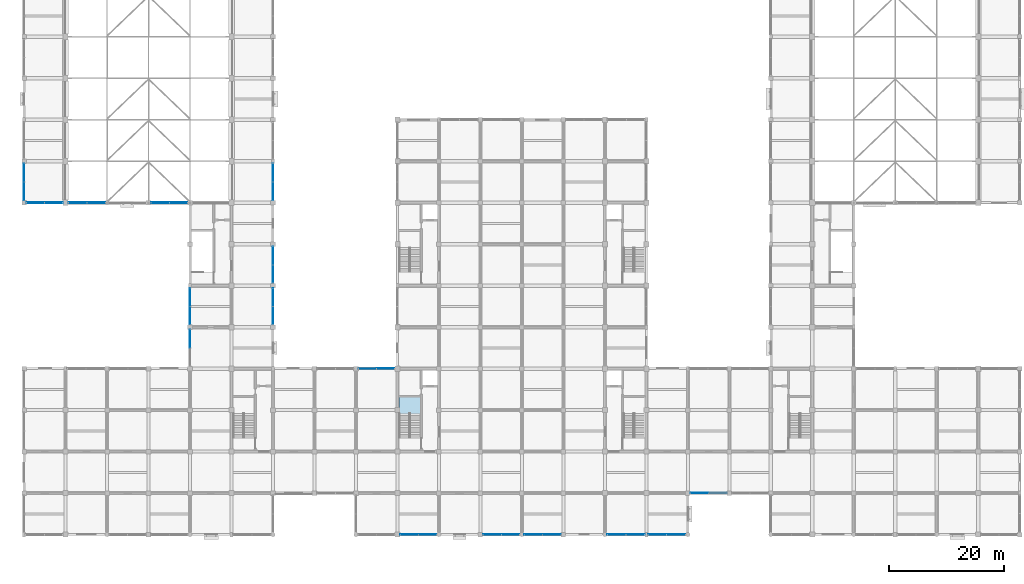
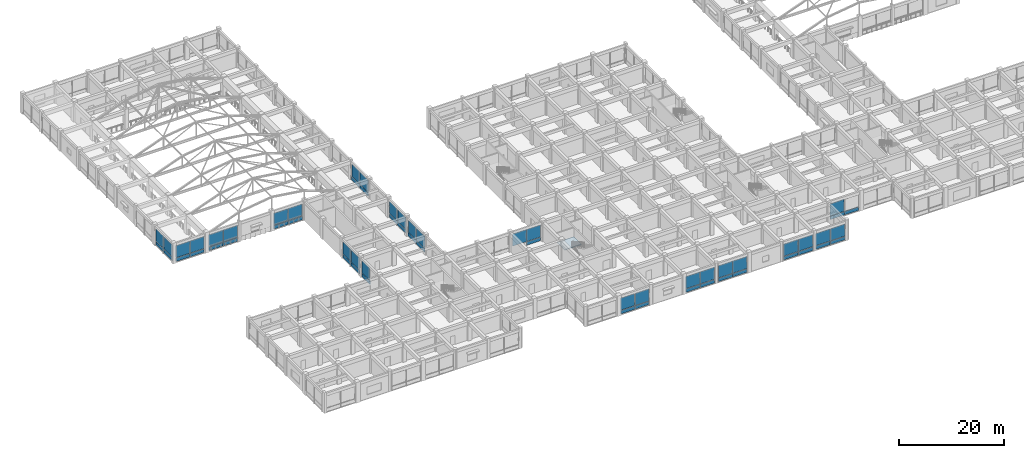
# One storey, part 48 of 75: 60 plates, 1 slab, 17 elements without a shape of their own.
"""IFC4 building model written with IfcOpenShell, lengths in metres."""

from ifc_helpers import new_model, si_unit, direction, frame, origin, origin_2d, place, context, subcontext, project, spatial, polyline, rectangle, outline, extrude, material, layer, layer_set, type_object, element, aggregate, save


model = new_model("IFC4")

# Units and contexts
model_context = context("Model", 3, precision=1e-05, world=origin(), true_north=direction((0.0, 1.0)))
body_context = subcontext(model_context, "Body", "Model", "MODEL_VIEW")
ifc_project = project(units=[si_unit("LENGTHUNIT", "METRE"), si_unit("AREAUNIT", "SQUARE_METRE"), si_unit("VOLUMEUNIT", "CUBIC_METRE"), si_unit("PLANEANGLEUNIT", "RADIAN"), si_unit("MASSUNIT", "GRAM", prefix="KILO")], contexts=[model_context])

# Site, building, storey
site_placement = place(None, origin())
site = spatial("IfcSite", under=ifc_project, at=site_placement, CompositionType="ELEMENT")
building_placement = place(site_placement, origin())
building = spatial("IfcBuilding", under=site, at=building_placement, Name="Cendaluz Park School", CompositionType="ELEMENT")
storey_placement = place(building_placement, frame((0.0, 0.0, 4.800048828125)))
storey = spatial("IfcBuildingStorey", under=building, at=storey_placement, Name="L01", CompositionType="ELEMENT", Elevation=4.800048828125)

# Curtain wall, plates
ifc_material_1 = material(Name="Anodised Aluminium 6063-T6", Category="aluminium")
ifc_layer_1 = layer(ifc_material_1, 0.179931640625)
ifc_layer_set_1 = layer_set([ifc_layer_1], Name="Anodised Aluminium 6063-T6")
curtain_wall_type_1 = type_object("IfcCurtainWallType", Name="CW-128x77", PredefinedType="NOTDEFINED", material=ifc_layer_set_1)
curtain_wall_1_placement = place(storey_placement, origin())
curtain_wall_1 = element("IfcCurtainWall", 1, at=curtain_wall_1_placement, inside=storey, type_object=curtain_wall_type_1, Name="CW-L01-025", PredefinedType="NOTDEFINED")
ifc_material_2 = material(Name="Tempered Low-E Double Glazing", Category="glass")
ifc_layer_2 = layer(ifc_material_2, 0.028076171875)
ifc_layer_set_2 = layer_set([ifc_layer_2], Name="Tempered Low-E Double Glazing")
plate_type_1 = type_object("IfcPlateType", Name="CWP-G01", PredefinedType="CURTAIN_PANEL", material=ifc_layer_set_2)
plate_1_placement = place(storey_placement, frame((43.199951171875, 38.017578125, 0.93505859375), z_axis=(0.0, 0.0, 1.0), x_axis=(0.0, 1.0, 0.0)))
plate_1 = element("IfcPlate", 2, at=plate_1_placement, type_object=plate_type_1, Name="CP-L01-0320", PredefinedType="CURTAIN_PANEL", context=body_context, shape_type="SweptSolid", body=[
    extrude(rectangle(XDim=3.094970703125, YDim=0.028076171875, at=origin_2d()), origin(), (0.0, 0.0, 1.0), 2.844970703125),
])
plate_2_placement = place(storey_placement, frame((43.199951171875, 41.1826171875, 0.93505859375), z_axis=(0.0, 0.0, 1.0), x_axis=(0.0, 1.0, 0.0)))
plate_2 = element("IfcPlate", 3, at=plate_2_placement, type_object=plate_type_1, Name="CP-L01-0325", PredefinedType="CURTAIN_PANEL", context=body_context, shape_type="SweptSolid", body=[
    extrude(rectangle(XDim=3.094970703125, YDim=0.028076171875, at=origin_2d()), origin(), (0.0, 0.0, 1.0), 2.844970703125),
])

curtain_wall_2_placement = place(storey_placement, origin())
curtain_wall_2 = element("IfcCurtainWall", 4, at=curtain_wall_2_placement, inside=storey, type_object=curtain_wall_type_1, Name="CW-L01-026", PredefinedType="NOTDEFINED")
plate_3_placement = place(storey_placement, frame((43.199951171875, 45.217529296875, 0.93505859375), z_axis=(0.0, 0.0, 1.0), x_axis=(0.0, 1.0, 0.0)))
plate_3 = element("IfcPlate", 5, at=plate_3_placement, type_object=plate_type_1, Name="CP-L01-0333", PredefinedType="CURTAIN_PANEL", context=body_context, shape_type="SweptSolid", body=[
    extrude(rectangle(XDim=3.094970703125, YDim=0.028076171875, at=origin_2d()), origin(), (0.0, 0.0, 1.0), 2.844970703125),
])
plate_4_placement = place(storey_placement, frame((43.199951171875, 48.382568359375, 0.93505859375), z_axis=(0.0, 0.0, 1.0), x_axis=(0.0, 1.0, 0.0)))
plate_4 = element("IfcPlate", 6, at=plate_4_placement, type_object=plate_type_1, Name="CP-L01-0338", PredefinedType="CURTAIN_PANEL", context=body_context, shape_type="SweptSolid", body=[
    extrude(rectangle(XDim=3.094970703125, YDim=0.028076171875, at=origin_2d()), origin(), (0.0, 0.0, 1.0), 2.844970703125),
])

curtain_wall_3_placement = place(storey_placement, origin())
curtain_wall_3 = element("IfcCurtainWall", 7, at=curtain_wall_3_placement, inside=storey, type_object=curtain_wall_type_1, Name="CW-L01-027", PredefinedType="NOTDEFINED")
plate_5_placement = place(storey_placement, frame((43.199951171875, 59.623779296875, 0.93505859375), z_axis=(0.0, 0.0, 1.0), x_axis=(0.0, 1.0, 0.0)))
plate_5 = element("IfcPlate", 8, at=plate_5_placement, type_object=plate_type_1, Name="CP-L01-0346", PredefinedType="CURTAIN_PANEL", context=body_context, shape_type="SweptSolid", body=[
    extrude(rectangle(XDim=3.107421875, YDim=0.028076171875, at=origin_2d()), origin(), (0.0, 0.0, 1.0), 2.844970703125),
])
plate_6_placement = place(storey_placement, frame((43.199951171875, 62.80126953125, 0.93505859375), z_axis=(0.0, 0.0, 1.0), x_axis=(0.0, 1.0, 0.0)))
plate_6 = element("IfcPlate", 9, at=plate_6_placement, type_object=plate_type_1, Name="CP-L01-0351", PredefinedType="CURTAIN_PANEL", context=body_context, shape_type="SweptSolid", body=[
    extrude(rectangle(XDim=3.107421875, YDim=0.028076171875, at=origin_2d()), origin(), (0.0, 0.0, 1.0), 2.844970703125),
])

ifc_layer_3 = layer(ifc_material_1, 0.179931640625)
ifc_layer_set_3 = layer_set([ifc_layer_3], Name="Anodised Aluminium 6063-T6")
curtain_wall_type_2 = type_object("IfcCurtainWallType", Name="CW-132x77", PredefinedType="NOTDEFINED", material=ifc_layer_set_3)
curtain_wall_4_placement = place(storey_placement, origin())
curtain_wall_4 = element("IfcCurtainWall", 10, at=curtain_wall_4_placement, inside=storey, type_object=curtain_wall_type_2, Name="CW-L01-048", PredefinedType="NOTDEFINED")
plate_7_placement = place(storey_placement, frame((102.836181640625, 0.0, 0.93505859375), z_axis=(0.0, 0.0, 1.0), x_axis=(1.0, 0.0, 0.0)))
plate_7 = element("IfcPlate", 11, at=plate_7_placement, type_object=plate_type_1, Name="CP-L01-0619", PredefinedType="CURTAIN_PANEL", context=body_context, shape_type="SweptSolid", body=[
    extrude(rectangle(XDim=3.1826171875, YDim=0.028076171875, at=origin_2d()), origin(), (0.0, 0.0, 1.0), 2.844970703125),
])
plate_8_placement = place(storey_placement, frame((106.0888671875, 0.0, 0.93505859375), z_axis=(0.0, 0.0, 1.0), x_axis=(1.0, 0.0, 0.0)))
plate_8 = element("IfcPlate", 12, at=plate_8_placement, type_object=plate_type_1, Name="CP-L01-0624", PredefinedType="CURTAIN_PANEL", context=body_context, shape_type="SweptSolid", body=[
    extrude(rectangle(XDim=3.1826171875, YDim=0.028076171875, at=origin_2d()), origin(), (0.0, 0.0, 1.0), 2.844970703125),
])

curtain_wall_5_placement = place(storey_placement, origin())
curtain_wall_5 = element("IfcCurtainWall", 13, at=curtain_wall_5_placement, inside=storey, type_object=curtain_wall_type_1, Name="CW-L01-019", PredefinedType="NOTDEFINED")
ifc_layer_4 = layer(ifc_material_2, 0.0380859375)
ifc_layer_set_4 = layer_set([ifc_layer_4], Name="Tempered Low-E Double Glazing")
plate_type_2 = type_object("IfcPlateType", Name="CWP-G02", PredefinedType="CURTAIN_PANEL", material=ifc_layer_set_4)
plate_9_placement = place(storey_placement, frame((23.617431640625, 57.60009765625, 0.93505859375), z_axis=(0.0, 0.0, 1.0), x_axis=(1.0, 0.0, 0.0)))
plate_9 = element("IfcPlate", 14, at=plate_9_placement, type_object=plate_type_2, Name="CP-L01-0242", PredefinedType="CURTAIN_PANEL", context=body_context, shape_type="SweptSolid", body=[
    extrude(rectangle(XDim=3.094970703125, YDim=0.0380859375, at=origin_2d()), origin(), (0.0, 0.0, 1.0), 2.844970703125),
])
plate_10_placement = place(storey_placement, frame((26.782470703125, 57.60009765625, 0.93505859375), z_axis=(0.0, 0.0, 1.0), x_axis=(1.0, 0.0, 0.0)))
plate_10 = element("IfcPlate", 15, at=plate_10_placement, type_object=plate_type_2, Name="CP-L01-0247", PredefinedType="CURTAIN_PANEL", context=body_context, shape_type="SweptSolid", body=[
    extrude(rectangle(XDim=3.094970703125, YDim=0.0380859375, at=origin_2d()), origin(), (0.0, 0.0, 1.0), 2.844970703125),
])

curtain_wall_6_placement = place(storey_placement, origin())
curtain_wall_6 = element("IfcCurtainWall", 16, at=curtain_wall_6_placement, inside=storey, type_object=curtain_wall_type_1, Name="CW-L01-044", PredefinedType="NOTDEFINED")
plate_11_placement = place(storey_placement, frame((81.2236328125, 0.0, 0.93505859375), z_axis=(0.0, 0.0, 1.0), x_axis=(1.0, 0.0, 0.0)))
plate_11 = element("IfcPlate", 17, at=plate_11_placement, type_object=plate_type_2, Name="CP-L01-0567", PredefinedType="CURTAIN_PANEL", context=body_context, shape_type="SweptSolid", body=[
    extrude(rectangle(XDim=3.107421875, YDim=0.0380859375, at=origin_2d()), origin(), (0.0, 0.0, 1.0), 2.844970703125),
])
plate_12_placement = place(storey_placement, frame((84.4013671875, 0.0, 0.93505859375), z_axis=(0.0, 0.0, 1.0), x_axis=(1.0, 0.0, 0.0)))
plate_12 = element("IfcPlate", 18, at=plate_12_placement, type_object=plate_type_2, Name="CP-L01-0572", PredefinedType="CURTAIN_PANEL", context=body_context, shape_type="SweptSolid", body=[
    extrude(rectangle(XDim=3.107421875, YDim=0.0380859375, at=origin_2d()), origin(), (0.0, 0.0, 1.0), 2.844970703125),
])

curtain_wall_7_placement = place(storey_placement, origin())
curtain_wall_7 = element("IfcCurtainWall", 19, at=curtain_wall_7_placement, inside=storey, type_object=curtain_wall_type_2, Name="CW-L01-053", PredefinedType="NOTDEFINED")
plate_13_placement = place(storey_placement, frame((109.9111328125, 0.0, 0.93505859375), z_axis=(0.0, 0.0, 1.0), x_axis=(1.0, 0.0, 0.0)))
plate_13 = element("IfcPlate", 20, at=plate_13_placement, type_object=plate_type_2, Name="CP-L01-0684", PredefinedType="CURTAIN_PANEL", context=body_context, shape_type="SweptSolid", body=[
    extrude(rectangle(XDim=3.1826171875, YDim=0.0380859375, at=origin_2d()), origin(), (0.0, 0.0, 1.0), 2.844970703125),
])
plate_14_placement = place(storey_placement, frame((113.163818359375, 0.0, 0.93505859375), z_axis=(0.0, 0.0, 1.0), x_axis=(1.0, 0.0, 0.0)))
plate_14 = element("IfcPlate", 21, at=plate_14_placement, type_object=plate_type_2, Name="CP-L01-0689", PredefinedType="CURTAIN_PANEL", context=body_context, shape_type="SweptSolid", body=[
    extrude(rectangle(XDim=3.1826171875, YDim=0.0380859375, at=origin_2d()), origin(), (0.0, 0.0, 1.0), 2.844970703125),
])

ifc_layer_5 = layer(ifc_material_1, 0.179931640625)
ifc_layer_set_5 = layer_set([ifc_layer_5], Name="Anodised Aluminium 6063-T6")
curtain_wall_type_3 = type_object("IfcCurtainWallType", Name="CW-127x77", PredefinedType="NOTDEFINED", material=ifc_layer_set_5)
curtain_wall_8_placement = place(storey_placement, origin())
curtain_wall_8 = element("IfcCurtainWall", 22, at=curtain_wall_8_placement, inside=storey, type_object=curtain_wall_type_3, Name="CW-L01-005", PredefinedType="NOTDEFINED")
ifc_layer_6 = layer(ifc_material_2, 0.048095703125)
ifc_layer_set_6 = layer_set([ifc_layer_6], Name="Tempered Low-E Double Glazing")
plate_type_3 = type_object("IfcPlateType", Name="CWP-G03", PredefinedType="CURTAIN_PANEL", material=ifc_layer_set_6)
plate_15_placement = place(storey_placement, frame((2.0048828125, 57.60009765625, 0.93505859375), z_axis=(0.0, 0.0, 1.0), x_axis=(1.0, 0.0, 0.0)))
plate_15 = element("IfcPlate", 23, at=plate_15_placement, type_object=plate_type_3, Name="CP-L01-0060", PredefinedType="CURTAIN_PANEL", context=body_context, shape_type="SweptSolid", body=[
    extrude(rectangle(XDim=3.070068359375, YDim=0.048095703125, at=origin_2d()), origin(), (0.0, 0.0, 1.0), 2.844970703125),
])
plate_16_placement = place(storey_placement, frame((5.14501953125, 57.60009765625, 0.93505859375), z_axis=(0.0, 0.0, 1.0), x_axis=(1.0, 0.0, 0.0)))
plate_16 = element("IfcPlate", 24, at=plate_16_placement, type_object=plate_type_3, Name="CP-L01-0065", PredefinedType="CURTAIN_PANEL", context=body_context, shape_type="SweptSolid", body=[
    extrude(rectangle(XDim=3.070068359375, YDim=0.048095703125, at=origin_2d()), origin(), (0.0, 0.0, 1.0), 2.844970703125),
])

curtain_wall_9_placement = place(storey_placement, origin())
curtain_wall_9 = element("IfcCurtainWall", 25, at=curtain_wall_9_placement, inside=storey, type_object=curtain_wall_type_1, Name="CW-L01-006", PredefinedType="NOTDEFINED")
plate_17_placement = place(storey_placement, frame((0.0, 59.617431640625, 0.93505859375), z_axis=(0.0, 0.0, 1.0), x_axis=(0.0, 1.0, 0.0)))
plate_17 = element("IfcPlate", 26, at=plate_17_placement, type_object=plate_type_3, Name="CP-L01-0073", PredefinedType="CURTAIN_PANEL", context=body_context, shape_type="SweptSolid", body=[
    extrude(rectangle(XDim=3.094970703125, YDim=0.048095703125, at=origin_2d()), origin(), (0.0, 0.0, 1.0), 2.844970703125),
])
plate_18_placement = place(storey_placement, frame((0.0, 62.782470703125, 0.93505859375), z_axis=(0.0, 0.0, 1.0), x_axis=(0.0, 1.0, 0.0)))
plate_18 = element("IfcPlate", 27, at=plate_18_placement, type_object=plate_type_3, Name="CP-L01-0078", PredefinedType="CURTAIN_PANEL", context=body_context, shape_type="SweptSolid", body=[
    extrude(rectangle(XDim=3.094970703125, YDim=0.048095703125, at=origin_2d()), origin(), (0.0, 0.0, 1.0), 2.844970703125),
])

# Curtain wall, plate
curtain_wall_10_placement = place(storey_placement, origin())
curtain_wall_10 = element("IfcCurtainWall", 28, at=curtain_wall_10_placement, inside=storey, type_object=curtain_wall_type_1, Name="CW-L01-020", PredefinedType="NOTDEFINED")
plate_19_placement = place(storey_placement, frame((28.800048828125, 33.982421875, 0.93505859375), z_axis=(0.0, 0.0, 1.0), x_axis=(0.0, 1.0, 0.0)))
plate_19 = element("IfcPlate", 29, at=plate_19_placement, type_object=plate_type_3, Name="CP-L01-0260", PredefinedType="CURTAIN_PANEL", context=body_context, shape_type="SweptSolid", body=[
    extrude(rectangle(XDim=3.094970703125, YDim=0.048095703125, at=origin_2d()), origin(), (0.0, 0.0, 1.0), 2.844970703125),
])

# Curtain wall, plates
curtain_wall_11_placement = place(storey_placement, origin())
curtain_wall_11 = element("IfcCurtainWall", 30, at=curtain_wall_11_placement, inside=storey, type_object=curtain_wall_type_1, Name="CW-L01-021", PredefinedType="NOTDEFINED")
plate_20_placement = place(storey_placement, frame((28.800048828125, 38.023681640625, 0.93505859375), z_axis=(0.0, 0.0, 1.0), x_axis=(0.0, 1.0, 0.0)))
plate_20 = element("IfcPlate", 31, at=plate_20_placement, type_object=plate_type_3, Name="CP-L01-0268", PredefinedType="CURTAIN_PANEL", context=body_context, shape_type="SweptSolid", body=[
    extrude(rectangle(XDim=3.107421875, YDim=0.048095703125, at=origin_2d()), origin(), (0.0, 0.0, 1.0), 2.844970703125),
])
plate_21_placement = place(storey_placement, frame((28.800048828125, 41.201171875, 0.93505859375), z_axis=(0.0, 0.0, 1.0), x_axis=(0.0, 1.0, 0.0)))
plate_21 = element("IfcPlate", 32, at=plate_21_placement, type_object=plate_type_3, Name="CP-L01-0273", PredefinedType="CURTAIN_PANEL", context=body_context, shape_type="SweptSolid", body=[
    extrude(rectangle(XDim=3.107421875, YDim=0.048095703125, at=origin_2d()), origin(), (0.0, 0.0, 1.0), 2.844970703125),
])

curtain_wall_12_placement = place(storey_placement, origin())
curtain_wall_12 = element("IfcCurtainWall", 33, at=curtain_wall_12_placement, inside=storey, type_object=curtain_wall_type_3, Name="CW-L01-038", PredefinedType="NOTDEFINED")
plate_22_placement = place(storey_placement, frame((59.60498046875, 28.800048828125, 0.93505859375), z_axis=(0.0, 0.0, 1.0), x_axis=(1.0, 0.0, 0.0)))
plate_22 = element("IfcPlate", 34, at=plate_22_placement, type_object=plate_type_3, Name="CP-L01-0489", PredefinedType="CURTAIN_PANEL", context=body_context, shape_type="SweptSolid", body=[
    extrude(rectangle(XDim=3.070068359375, YDim=0.048095703125, at=origin_2d()), origin(), (0.0, 0.0, 1.0), 2.844970703125),
])
plate_23_placement = place(storey_placement, frame((62.7451171875, 28.800048828125, 0.93505859375), z_axis=(0.0, 0.0, 1.0), x_axis=(1.0, 0.0, 0.0)))
plate_23 = element("IfcPlate", 35, at=plate_23_placement, type_object=plate_type_3, Name="CP-L01-0494", PredefinedType="CURTAIN_PANEL", context=body_context, shape_type="SweptSolid", body=[
    extrude(rectangle(XDim=3.070068359375, YDim=0.048095703125, at=origin_2d()), origin(), (0.0, 0.0, 1.0), 2.844970703125),
])

curtain_wall_13_placement = place(storey_placement, origin())
curtain_wall_13 = element("IfcCurtainWall", 36, at=curtain_wall_13_placement, inside=storey, type_object=curtain_wall_type_1, Name="CW-L01-046", PredefinedType="NOTDEFINED")
plate_24_placement = place(storey_placement, frame((88.398681640625, 0.0, 0.93505859375), z_axis=(0.0, 0.0, 1.0), x_axis=(1.0, 0.0, 0.0)))
plate_24 = element("IfcPlate", 37, at=plate_24_placement, type_object=plate_type_3, Name="CP-L01-0593", PredefinedType="CURTAIN_PANEL", context=body_context, shape_type="SweptSolid", body=[
    extrude(rectangle(XDim=3.107421875, YDim=0.048095703125, at=origin_2d()), origin(), (0.0, 0.0, 1.0), 2.844970703125),
])
plate_25_placement = place(storey_placement, frame((91.576171875, 0.0, 0.93505859375), z_axis=(0.0, 0.0, 1.0), x_axis=(1.0, 0.0, 0.0)))
plate_25 = element("IfcPlate", 38, at=plate_25_placement, type_object=plate_type_3, Name="CP-L01-0598", PredefinedType="CURTAIN_PANEL", context=body_context, shape_type="SweptSolid", body=[
    extrude(rectangle(XDim=3.107421875, YDim=0.048095703125, at=origin_2d()), origin(), (0.0, 0.0, 1.0), 2.844970703125),
])

# Curtain wall, plate
curtain_wall_14_placement = place(storey_placement, origin())
curtain_wall_14 = element("IfcCurtainWall", 39, at=curtain_wall_14_placement, inside=storey, type_object=curtain_wall_type_1, Name="CW-L01-054", PredefinedType="NOTDEFINED")
plate_26_placement = place(storey_placement, frame((117.217529296875, 7.199951171875, 0.93505859375), z_axis=(0.0, 0.0, 1.0), x_axis=(1.0, 0.0, 0.0)))
plate_26 = element("IfcPlate", 40, at=plate_26_placement, type_object=plate_type_3, Name="CP-L01-0697", PredefinedType="CURTAIN_PANEL", context=body_context, shape_type="SweptSolid", body=[
    extrude(rectangle(XDim=3.094970703125, YDim=0.048095703125, at=origin_2d()), origin(), (0.0, 0.0, 1.0), 2.844970703125),
])

# Curtain wall, plates
ifc_layer_7 = layer(ifc_material_1, 0.179931640625)
ifc_layer_set_7 = layer_set([ifc_layer_7], Name="Anodised Aluminium 6063-T6")
curtain_wall_type_4 = type_object("IfcCurtainWallType", Name="CW-130x77", PredefinedType="NOTDEFINED", material=ifc_layer_set_7)
curtain_wall_15_placement = place(storey_placement, origin())
curtain_wall_15 = element("IfcCurtainWall", 41, at=curtain_wall_15_placement, inside=storey, type_object=curtain_wall_type_4, Name="CW-L01-013", PredefinedType="NOTDEFINED")
ifc_layer_8 = layer(ifc_material_2, 0.05810546875)
ifc_layer_set_8 = layer_set([ifc_layer_8], Name="Tempered Low-E Double Glazing")
plate_type_4 = type_object("IfcPlateType", Name="CWP-G04", PredefinedType="CURTAIN_PANEL", material=ifc_layer_set_8)
plate_27_placement = place(storey_placement, frame((9.29248046875, 57.60009765625, 0.93505859375), z_axis=(0.0, 0.0, 1.0), x_axis=(1.0, 0.0, 0.0)))
plate_27 = element("IfcPlate", 42, at=plate_27_placement, type_object=plate_type_4, Name="CP-L01-0164", PredefinedType="CURTAIN_PANEL", context=body_context, shape_type="SweptSolid", body=[
    extrude(rectangle(XDim=3.14501953125, YDim=0.05810546875, at=origin_2d()), origin(), (0.0, 0.0, 1.0), 2.844970703125),
])
plate_28_placement = place(storey_placement, frame((12.507568359375, 57.60009765625, 0.93505859375), z_axis=(0.0, 0.0, 1.0), x_axis=(1.0, 0.0, 0.0)))
plate_28 = element("IfcPlate", 43, at=plate_28_placement, type_object=plate_type_4, Name="CP-L01-0169", PredefinedType="CURTAIN_PANEL", context=body_context, shape_type="SweptSolid", body=[
    extrude(rectangle(XDim=3.14501953125, YDim=0.05810546875, at=origin_2d()), origin(), (0.0, 0.0, 1.0), 2.844970703125),
])

curtain_wall_16_placement = place(storey_placement, origin())
curtain_wall_16 = element("IfcCurtainWall", 44, at=curtain_wall_16_placement, inside=storey, type_object=curtain_wall_type_1, Name="CW-L01-039", PredefinedType="NOTDEFINED")
plate_29_placement = place(storey_placement, frame((66.861328125, 0.0, 0.93505859375), z_axis=(0.0, 0.0, 1.0), x_axis=(1.0, 0.0, 0.0)))
plate_29 = element("IfcPlate", 45, at=plate_29_placement, type_object=plate_type_4, Name="CP-L01-0502", PredefinedType="CURTAIN_PANEL", context=body_context, shape_type="SweptSolid", body=[
    extrude(rectangle(XDim=3.08251953125, YDim=0.05810546875, at=origin_2d()), origin(), (0.0, 0.0, 1.0), 2.844970703125),
])
plate_30_placement = place(storey_placement, frame((70.013671875, 0.0, 0.93505859375), z_axis=(0.0, 0.0, 1.0), x_axis=(1.0, 0.0, 0.0)))
plate_30 = element("IfcPlate", 46, at=plate_30_placement, type_object=plate_type_4, Name="CP-L01-0507", PredefinedType="CURTAIN_PANEL", context=body_context, shape_type="SweptSolid", body=[
    extrude(rectangle(XDim=3.08251953125, YDim=0.05810546875, at=origin_2d()), origin(), (0.0, 0.0, 1.0), 2.844970703125),
])

# Plate
ifc_layer_9 = layer(ifc_material_1, 0.080078125)
ifc_layer_set_9 = layer_set([ifc_layer_9], Name="Anodised Aluminium 6063-T6")
plate_type_5 = type_object("IfcPlateType", Name="CWP-S01", PredefinedType="CURTAIN_PANEL", material=ifc_layer_set_9)
plate_31_placement = place(storey_placement, frame((43.199951171875, 45.217529296875, 0.070068359375), z_axis=(0.0, 0.0, 1.0), x_axis=(0.0, 1.0, 0.0)))
plate_31 = element("IfcPlate", 47, at=plate_31_placement, type_object=plate_type_5, Name="CP-L01-0332", PredefinedType="CURTAIN_PANEL", context=body_context, shape_type="SweptSolid", body=[
    extrude(rectangle(XDim=3.094970703125, YDim=0.080078125, at=origin_2d()), origin(), (0.0, 0.0, 1.0), 0.794921875),
])

plate_32_placement = place(storey_placement, frame((43.199951171875, 48.382568359375, 0.070068359375), z_axis=(0.0, 0.0, 1.0), x_axis=(0.0, 1.0, 0.0)))
plate_32 = element("IfcPlate", 48, at=plate_32_placement, type_object=plate_type_5, Name="CP-L01-0337", PredefinedType="CURTAIN_PANEL", context=body_context, shape_type="SweptSolid", body=[
    extrude(rectangle(XDim=3.094970703125, YDim=0.080078125, at=origin_2d()), origin(), (0.0, 0.0, 1.0), 0.794921875),
])

aggregate(curtain_wall_2, [plate_31, plate_3, plate_32, plate_4])

ifc_layer_10 = layer(ifc_material_1, 0.110107421875)
ifc_layer_set_10 = layer_set([ifc_layer_10], Name="Anodised Aluminium 6063-T6")
plate_type_6 = type_object("IfcPlateType", Name="CWP-S03", PredefinedType="CURTAIN_PANEL", material=ifc_layer_set_10)
plate_33_placement = place(storey_placement, frame((2.0048828125, 57.60009765625, 0.070068359375), z_axis=(0.0, 0.0, 1.0), x_axis=(1.0, 0.0, 0.0)))
plate_33 = element("IfcPlate", 49, at=plate_33_placement, type_object=plate_type_6, Name="CP-L01-0059", PredefinedType="CURTAIN_PANEL", context=body_context, shape_type="SweptSolid", body=[
    extrude(rectangle(XDim=3.070068359375, YDim=0.110107421875, at=origin_2d()), origin(), (0.0, 0.0, 1.0), 0.794921875),
])

plate_34_placement = place(storey_placement, frame((5.14501953125, 57.60009765625, 0.070068359375), z_axis=(0.0, 0.0, 1.0), x_axis=(1.0, 0.0, 0.0)))
plate_34 = element("IfcPlate", 50, at=plate_34_placement, type_object=plate_type_6, Name="CP-L01-0064", PredefinedType="CURTAIN_PANEL", context=body_context, shape_type="SweptSolid", body=[
    extrude(rectangle(XDim=3.070068359375, YDim=0.110107421875, at=origin_2d()), origin(), (0.0, 0.0, 1.0), 0.794921875),
])

aggregate(curtain_wall_8, [plate_33, plate_15, plate_34, plate_16])

plate_35_placement = place(storey_placement, frame((0.0, 59.617431640625, 0.070068359375), z_axis=(0.0, 0.0, 1.0), x_axis=(0.0, 1.0, 0.0)))
plate_35 = element("IfcPlate", 51, at=plate_35_placement, type_object=plate_type_6, Name="CP-L01-0072", PredefinedType="CURTAIN_PANEL", context=body_context, shape_type="SweptSolid", body=[
    extrude(rectangle(XDim=3.094970703125, YDim=0.110107421875, at=origin_2d()), origin(), (0.0, 0.0, 1.0), 0.794921875),
])

plate_36_placement = place(storey_placement, frame((0.0, 62.782470703125, 0.070068359375), z_axis=(0.0, 0.0, 1.0), x_axis=(0.0, 1.0, 0.0)))
plate_36 = element("IfcPlate", 52, at=plate_36_placement, type_object=plate_type_6, Name="CP-L01-0077", PredefinedType="CURTAIN_PANEL", context=body_context, shape_type="SweptSolid", body=[
    extrude(rectangle(XDim=3.094970703125, YDim=0.110107421875, at=origin_2d()), origin(), (0.0, 0.0, 1.0), 0.794921875),
])

aggregate(curtain_wall_9, [plate_35, plate_17, plate_36, plate_18])

plate_37_placement = place(storey_placement, frame((9.29248046875, 57.60009765625, 0.070068359375), z_axis=(0.0, 0.0, 1.0), x_axis=(1.0, 0.0, 0.0)))
plate_37 = element("IfcPlate", 53, at=plate_37_placement, type_object=plate_type_6, Name="CP-L01-0163", PredefinedType="CURTAIN_PANEL", context=body_context, shape_type="SweptSolid", body=[
    extrude(rectangle(XDim=3.14501953125, YDim=0.110107421875, at=origin_2d()), origin(), (0.0, 0.0, 1.0), 0.794921875),
])

plate_38_placement = place(storey_placement, frame((12.507568359375, 57.60009765625, 0.070068359375), z_axis=(0.0, 0.0, 1.0), x_axis=(1.0, 0.0, 0.0)))
plate_38 = element("IfcPlate", 54, at=plate_38_placement, type_object=plate_type_6, Name="CP-L01-0168", PredefinedType="CURTAIN_PANEL", context=body_context, shape_type="SweptSolid", body=[
    extrude(rectangle(XDim=3.14501953125, YDim=0.110107421875, at=origin_2d()), origin(), (0.0, 0.0, 1.0), 0.794921875),
])

aggregate(curtain_wall_15, [plate_37, plate_27, plate_38, plate_28])

plate_39_placement = place(storey_placement, frame((23.617431640625, 57.60009765625, 0.070068359375), z_axis=(0.0, 0.0, 1.0), x_axis=(1.0, 0.0, 0.0)))
plate_39 = element("IfcPlate", 55, at=plate_39_placement, type_object=plate_type_6, Name="CP-L01-0241", PredefinedType="CURTAIN_PANEL", context=body_context, shape_type="SweptSolid", body=[
    extrude(rectangle(XDim=3.094970703125, YDim=0.110107421875, at=origin_2d()), origin(), (0.0, 0.0, 1.0), 0.794921875),
])

plate_40_placement = place(storey_placement, frame((26.782470703125, 57.60009765625, 0.070068359375), z_axis=(0.0, 0.0, 1.0), x_axis=(1.0, 0.0, 0.0)))
plate_40 = element("IfcPlate", 56, at=plate_40_placement, type_object=plate_type_6, Name="CP-L01-0246", PredefinedType="CURTAIN_PANEL", context=body_context, shape_type="SweptSolid", body=[
    extrude(rectangle(XDim=3.094970703125, YDim=0.110107421875, at=origin_2d()), origin(), (0.0, 0.0, 1.0), 0.794921875),
])

aggregate(curtain_wall_5, [plate_39, plate_9, plate_40, plate_10])

plate_41_placement = place(storey_placement, frame((28.800048828125, 33.982421875, 0.070068359375), z_axis=(0.0, 0.0, 1.0), x_axis=(0.0, 1.0, 0.0)))
plate_41 = element("IfcPlate", 57, at=plate_41_placement, type_object=plate_type_6, Name="CP-L01-0259", PredefinedType="CURTAIN_PANEL", context=body_context, shape_type="SweptSolid", body=[
    extrude(rectangle(XDim=3.094970703125, YDim=0.110107421875, at=origin_2d()), origin(), (0.0, 0.0, 1.0), 0.794921875),
])

aggregate(curtain_wall_10, [plate_41, plate_19])

plate_42_placement = place(storey_placement, frame((43.199951171875, 59.623779296875, 0.070068359375), z_axis=(0.0, 0.0, 1.0), x_axis=(0.0, 1.0, 0.0)))
plate_42 = element("IfcPlate", 58, at=plate_42_placement, type_object=plate_type_6, Name="CP-L01-0345", PredefinedType="CURTAIN_PANEL", context=body_context, shape_type="SweptSolid", body=[
    extrude(rectangle(XDim=3.107421875, YDim=0.110107421875, at=origin_2d()), origin(), (0.0, 0.0, 1.0), 0.794921875),
])

plate_43_placement = place(storey_placement, frame((43.199951171875, 62.80126953125, 0.070068359375), z_axis=(0.0, 0.0, 1.0), x_axis=(0.0, 1.0, 0.0)))
plate_43 = element("IfcPlate", 59, at=plate_43_placement, type_object=plate_type_6, Name="CP-L01-0350", PredefinedType="CURTAIN_PANEL", context=body_context, shape_type="SweptSolid", body=[
    extrude(rectangle(XDim=3.107421875, YDim=0.110107421875, at=origin_2d()), origin(), (0.0, 0.0, 1.0), 0.794921875),
])

aggregate(curtain_wall_3, [plate_42, plate_5, plate_43, plate_6])

plate_44_placement = place(storey_placement, frame((62.7451171875, 28.800048828125, 0.070068359375), z_axis=(0.0, 0.0, 1.0), x_axis=(1.0, 0.0, 0.0)))
plate_44 = element("IfcPlate", 60, at=plate_44_placement, type_object=plate_type_6, Name="CP-L01-0493", PredefinedType="CURTAIN_PANEL", context=body_context, shape_type="SweptSolid", body=[
    extrude(rectangle(XDim=3.070068359375, YDim=0.110107421875, at=origin_2d()), origin(), (0.0, 0.0, 1.0), 0.794921875),
])

aggregate(curtain_wall_12, [plate_22, plate_44, plate_23])

plate_45_placement = place(storey_placement, frame((66.861328125, 0.0, 0.070068359375), z_axis=(0.0, 0.0, 1.0), x_axis=(1.0, 0.0, 0.0)))
plate_45 = element("IfcPlate", 61, at=plate_45_placement, type_object=plate_type_6, Name="CP-L01-0501", PredefinedType="CURTAIN_PANEL", context=body_context, shape_type="SweptSolid", body=[
    extrude(rectangle(XDim=3.08251953125, YDim=0.110107421875, at=origin_2d()), origin(), (0.0, 0.0, 1.0), 0.794921875),
])

plate_46_placement = place(storey_placement, frame((70.013671875, 0.0, 0.070068359375), z_axis=(0.0, 0.0, 1.0), x_axis=(1.0, 0.0, 0.0)))
plate_46 = element("IfcPlate", 62, at=plate_46_placement, type_object=plate_type_6, Name="CP-L01-0506", PredefinedType="CURTAIN_PANEL", context=body_context, shape_type="SweptSolid", body=[
    extrude(rectangle(XDim=3.08251953125, YDim=0.110107421875, at=origin_2d()), origin(), (0.0, 0.0, 1.0), 0.794921875),
])

aggregate(curtain_wall_16, [plate_45, plate_29, plate_46, plate_30])

plate_47_placement = place(storey_placement, frame((81.2236328125, 0.0, 0.070068359375), z_axis=(0.0, 0.0, 1.0), x_axis=(1.0, 0.0, 0.0)))
plate_47 = element("IfcPlate", 63, at=plate_47_placement, type_object=plate_type_6, Name="CP-L01-0566", PredefinedType="CURTAIN_PANEL", context=body_context, shape_type="SweptSolid", body=[
    extrude(rectangle(XDim=3.107421875, YDim=0.110107421875, at=origin_2d()), origin(), (0.0, 0.0, 1.0), 0.794921875),
])

plate_48_placement = place(storey_placement, frame((84.4013671875, 0.0, 0.070068359375), z_axis=(0.0, 0.0, 1.0), x_axis=(1.0, 0.0, 0.0)))
plate_48 = element("IfcPlate", 64, at=plate_48_placement, type_object=plate_type_6, Name="CP-L01-0571", PredefinedType="CURTAIN_PANEL", context=body_context, shape_type="SweptSolid", body=[
    extrude(rectangle(XDim=3.107421875, YDim=0.110107421875, at=origin_2d()), origin(), (0.0, 0.0, 1.0), 0.794921875),
])

aggregate(curtain_wall_6, [plate_47, plate_11, plate_48, plate_12])

plate_49_placement = place(storey_placement, frame((88.398681640625, 0.0, 0.070068359375), z_axis=(0.0, 0.0, 1.0), x_axis=(1.0, 0.0, 0.0)))
plate_49 = element("IfcPlate", 65, at=plate_49_placement, type_object=plate_type_6, Name="CP-L01-0592", PredefinedType="CURTAIN_PANEL", context=body_context, shape_type="SweptSolid", body=[
    extrude(rectangle(XDim=3.107421875, YDim=0.110107421875, at=origin_2d()), origin(), (0.0, 0.0, 1.0), 0.794921875),
])

plate_50_placement = place(storey_placement, frame((91.576171875, 0.0, 0.070068359375), z_axis=(0.0, 0.0, 1.0), x_axis=(1.0, 0.0, 0.0)))
plate_50 = element("IfcPlate", 66, at=plate_50_placement, type_object=plate_type_6, Name="CP-L01-0597", PredefinedType="CURTAIN_PANEL", context=body_context, shape_type="SweptSolid", body=[
    extrude(rectangle(XDim=3.107421875, YDim=0.110107421875, at=origin_2d()), origin(), (0.0, 0.0, 1.0), 0.794921875),
])

aggregate(curtain_wall_13, [plate_49, plate_24, plate_50, plate_25])

plate_51_placement = place(storey_placement, frame((102.836181640625, 0.0, 0.070068359375), z_axis=(0.0, 0.0, 1.0), x_axis=(1.0, 0.0, 0.0)))
plate_51 = element("IfcPlate", 67, at=plate_51_placement, type_object=plate_type_6, Name="CP-L01-0618", PredefinedType="CURTAIN_PANEL", context=body_context, shape_type="SweptSolid", body=[
    extrude(rectangle(XDim=3.1826171875, YDim=0.110107421875, at=origin_2d()), origin(), (0.0, 0.0, 1.0), 0.794921875),
])

plate_52_placement = place(storey_placement, frame((106.0888671875, 0.0, 0.070068359375), z_axis=(0.0, 0.0, 1.0), x_axis=(1.0, 0.0, 0.0)))
plate_52 = element("IfcPlate", 68, at=plate_52_placement, type_object=plate_type_6, Name="CP-L01-0623", PredefinedType="CURTAIN_PANEL", context=body_context, shape_type="SweptSolid", body=[
    extrude(rectangle(XDim=3.1826171875, YDim=0.110107421875, at=origin_2d()), origin(), (0.0, 0.0, 1.0), 0.794921875),
])

aggregate(curtain_wall_4, [plate_51, plate_7, plate_52, plate_8])

plate_53_placement = place(storey_placement, frame((109.9111328125, 0.0, 0.070068359375), z_axis=(0.0, 0.0, 1.0), x_axis=(1.0, 0.0, 0.0)))
plate_53 = element("IfcPlate", 69, at=plate_53_placement, type_object=plate_type_6, Name="CP-L01-0683", PredefinedType="CURTAIN_PANEL", context=body_context, shape_type="SweptSolid", body=[
    extrude(rectangle(XDim=3.1826171875, YDim=0.110107421875, at=origin_2d()), origin(), (0.0, 0.0, 1.0), 0.794921875),
])

plate_54_placement = place(storey_placement, frame((113.163818359375, 0.0, 0.070068359375), z_axis=(0.0, 0.0, 1.0), x_axis=(1.0, 0.0, 0.0)))
plate_54 = element("IfcPlate", 70, at=plate_54_placement, type_object=plate_type_6, Name="CP-L01-0688", PredefinedType="CURTAIN_PANEL", context=body_context, shape_type="SweptSolid", body=[
    extrude(rectangle(XDim=3.1826171875, YDim=0.110107421875, at=origin_2d()), origin(), (0.0, 0.0, 1.0), 0.794921875),
])

aggregate(curtain_wall_7, [plate_53, plate_13, plate_54, plate_14])

ifc_layer_11 = layer(ifc_material_1, 0.125)
ifc_layer_set_11 = layer_set([ifc_layer_11], Name="Anodised Aluminium 6063-T6")
plate_type_7 = type_object("IfcPlateType", Name="CWP-S04", PredefinedType="CURTAIN_PANEL", material=ifc_layer_set_11)
plate_55_placement = place(storey_placement, frame((28.800048828125, 38.023681640625, 0.070068359375), z_axis=(0.0, 0.0, 1.0), x_axis=(0.0, 1.0, 0.0)))
plate_55 = element("IfcPlate", 71, at=plate_55_placement, type_object=plate_type_7, Name="CP-L01-0267", PredefinedType="CURTAIN_PANEL", context=body_context, shape_type="SweptSolid", body=[
    extrude(rectangle(XDim=3.107421875, YDim=0.125, at=origin_2d()), origin(), (0.0, 0.0, 1.0), 0.794921875),
])

plate_56_placement = place(storey_placement, frame((28.800048828125, 41.201171875, 0.070068359375), z_axis=(0.0, 0.0, 1.0), x_axis=(0.0, 1.0, 0.0)))
plate_56 = element("IfcPlate", 72, at=plate_56_placement, type_object=plate_type_7, Name="CP-L01-0272", PredefinedType="CURTAIN_PANEL", context=body_context, shape_type="SweptSolid", body=[
    extrude(rectangle(XDim=3.107421875, YDim=0.125, at=origin_2d()), origin(), (0.0, 0.0, 1.0), 0.794921875),
])

aggregate(curtain_wall_11, [plate_55, plate_20, plate_56, plate_21])

plate_57_placement = place(storey_placement, frame((43.199951171875, 38.017578125, 0.070068359375), z_axis=(0.0, 0.0, 1.0), x_axis=(0.0, 1.0, 0.0)))
plate_57 = element("IfcPlate", 73, at=plate_57_placement, type_object=plate_type_7, Name="CP-L01-0319", PredefinedType="CURTAIN_PANEL", context=body_context, shape_type="SweptSolid", body=[
    extrude(rectangle(XDim=3.094970703125, YDim=0.125, at=origin_2d()), origin(), (0.0, 0.0, 1.0), 0.794921875),
])

plate_58_placement = place(storey_placement, frame((43.199951171875, 41.1826171875, 0.070068359375), z_axis=(0.0, 0.0, 1.0), x_axis=(0.0, 1.0, 0.0)))
plate_58 = element("IfcPlate", 74, at=plate_58_placement, type_object=plate_type_7, Name="CP-L01-0324", PredefinedType="CURTAIN_PANEL", context=body_context, shape_type="SweptSolid", body=[
    extrude(rectangle(XDim=3.094970703125, YDim=0.125, at=origin_2d()), origin(), (0.0, 0.0, 1.0), 0.794921875),
])

aggregate(curtain_wall_1, [plate_57, plate_1, plate_58, plate_2])

plate_59_placement = place(storey_placement, frame((117.217529296875, 7.199951171875, 0.070068359375), z_axis=(0.0, 0.0, 1.0), x_axis=(1.0, 0.0, 0.0)))
plate_59 = element("IfcPlate", 75, at=plate_59_placement, type_object=plate_type_7, Name="CP-L01-0696", PredefinedType="CURTAIN_PANEL", context=body_context, shape_type="SweptSolid", body=[
    extrude(rectangle(XDim=3.094970703125, YDim=0.125, at=origin_2d()), origin(), (0.0, 0.0, 1.0), 0.794921875),
])

plate_60_placement = place(storey_placement, frame((120.382568359375, 7.199951171875, 0.070068359375), z_axis=(0.0, 0.0, 1.0), x_axis=(1.0, 0.0, 0.0)))
plate_60 = element("IfcPlate", 76, at=plate_60_placement, type_object=plate_type_7, Name="CP-L01-0701", PredefinedType="CURTAIN_PANEL", context=body_context, shape_type="SweptSolid", body=[
    extrude(rectangle(XDim=3.094970703125, YDim=0.125, at=origin_2d()), origin(), (0.0, 0.0, 1.0), 0.794921875),
])

aggregate(curtain_wall_14, [plate_59, plate_26, plate_60])

# Stair, slab
ifc_material_3 = material(Name="Concrete C40/50", Category="concrete")
stair_type = type_object("IfcStairType", Name="ST-480-180", PredefinedType="HALF_TURN_STAIR", material=ifc_material_3)
stair_placement = place(storey_placement, origin())
stair = element("IfcStair", 77, at=stair_placement, inside=storey, type_object=stair_type, Name="ST-L01-C1", PredefinedType="HALF_TURN_STAIR")
ifc_layer_12 = layer(ifc_material_3, 0.199951171875)
ifc_layer_set_12 = layer_set([ifc_layer_12], Name="Concrete C40/50")
slab_type = type_object("IfcSlabType", Name="SL-LD-200", PredefinedType="LANDING", material=ifc_layer_set_12)
slab_placement = place(storey_placement, frame((0.0, 0.0, 2.199951171875)))
slab = element("IfcSlab", 78, at=slab_placement, type_object=slab_type, Name="SL-LD-L01-C1", PredefinedType="LANDING", context=body_context, shape_type="SweptSolid", body=[
    extrude(outline(polyline([(65.090087890625, 20.9599609375), (68.77001953125, 20.9599609375), (68.77001953125, 23.860107421875), (65.090087890625, 23.860107421875), (65.090087890625, 20.9599609375)])), origin(), (0.0, 0.0, 1.0), 0.199951171875),
])
aggregate(stair, [slab])

save(model, "model.ifc")
